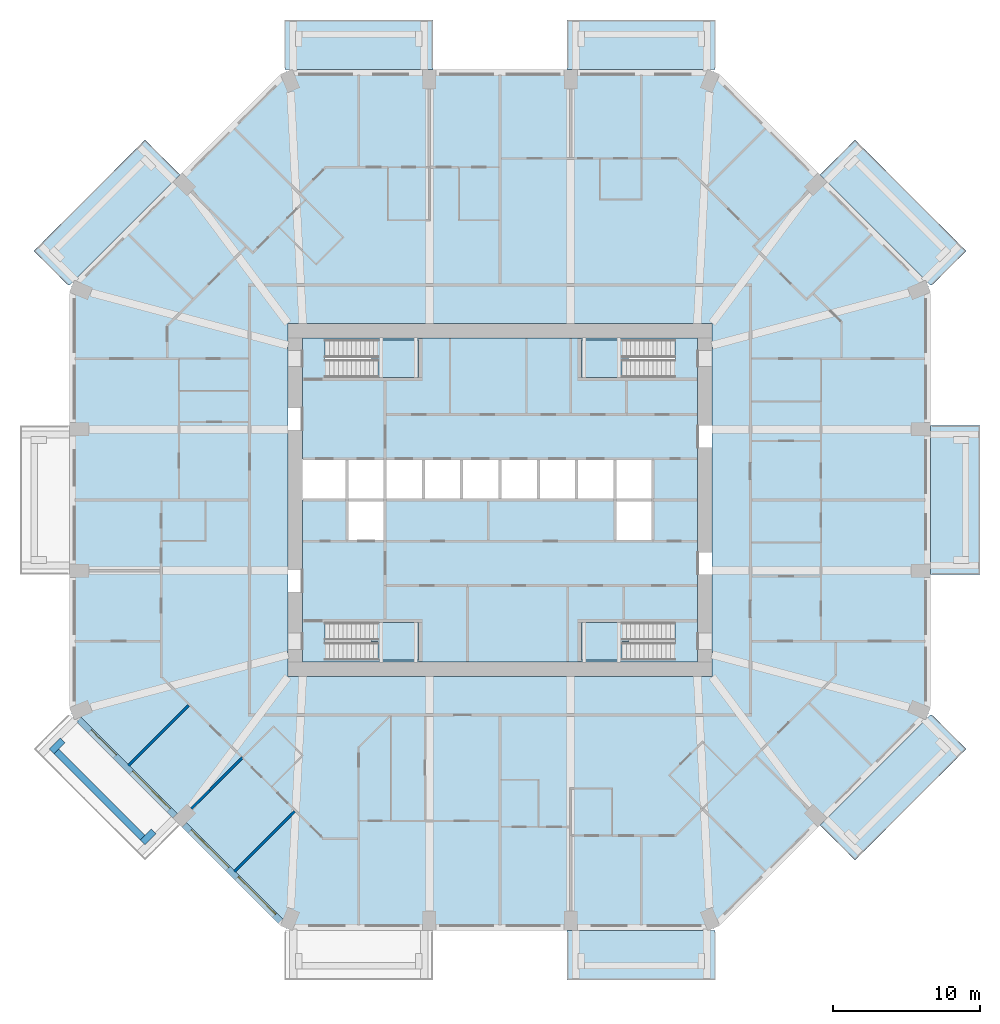
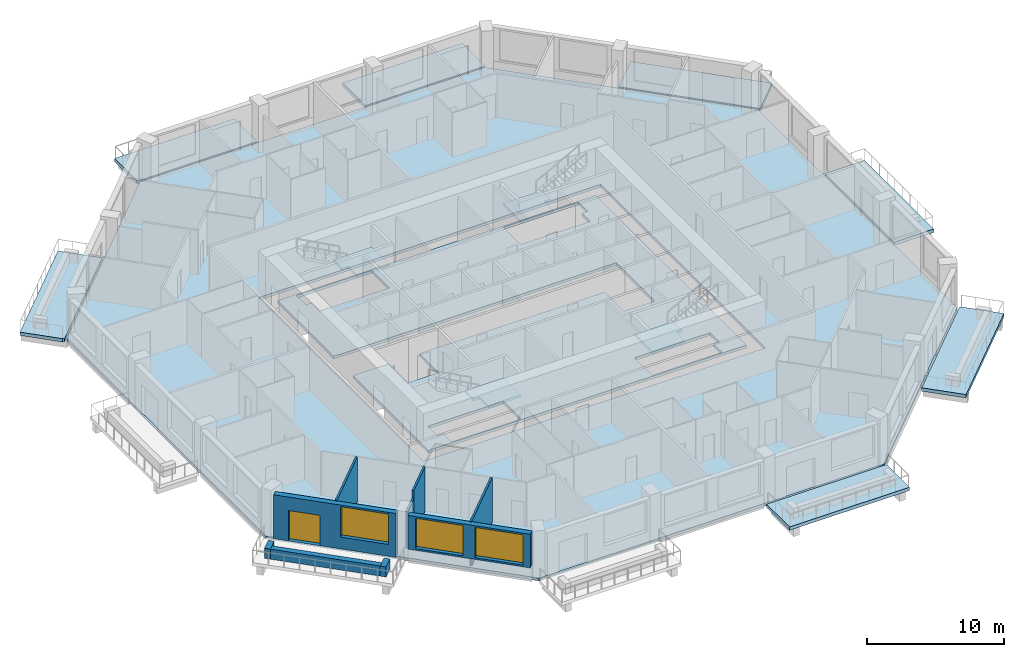
# One storey, part 2 of 13: 13 slabs, 9 walls, 3 windows, 1 door, 4 openings, 4 elements without a shape of their own.
"""IFC4 building model written with IfcOpenShell, lengths in metres."""

from ifc_helpers import new_model, si_unit, direction, frame, frame_2d, origin, place, context, subcontext, project, spatial, polyline, rectangle, outline, extrude, material, layer, layer_set, type_object, element, fill, aggregate, save


model = new_model("IFC4")

# Units and contexts
model_context = context("Model", 3, precision=1e-05, world=origin(), true_north=direction((0.0, 1.0)))
body_context = subcontext(model_context, "Body", "Model", "MODEL_VIEW")
ifc_project = project(units=[si_unit("LENGTHUNIT", "METRE"), si_unit("AREAUNIT", "SQUARE_METRE"), si_unit("VOLUMEUNIT", "CUBIC_METRE"), si_unit("PLANEANGLEUNIT", "RADIAN"), si_unit("MASSUNIT", "GRAM", prefix="KILO")], contexts=[model_context])

# Site, building, storey
site_placement = place(None, origin())
site = spatial("IfcSite", under=ifc_project, at=site_placement, CompositionType="ELEMENT")
building_placement = place(site_placement, origin())
building = spatial("IfcBuilding", under=site, at=building_placement, Name="Msitu Wima Residences", CompositionType="ELEMENT")
storey_placement = place(building_placement, frame((0.0, 0.0, 38.10009765625)))
storey = spatial("IfcBuildingStorey", under=building, at=storey_placement, Name="L08", CompositionType="ELEMENT", Elevation=38.10009765625)

# Slabs
ifc_material_1 = material(Name="Concrete C40/50", Category="concrete")
ifc_layer_1 = layer(ifc_material_1, 0.300048828125)
ifc_layer_set_1 = layer_set([ifc_layer_1], Name="Concrete C40/50")
slab_type_1 = type_object("IfcSlabType", Name="Balcony slab BS300", PredefinedType="FLOOR", material=ifc_layer_set_1)
slab_1_placement = place(storey_placement, frame((0.0, 0.0, -0.300048828125)))
element("IfcSlab", 1, at=slab_1_placement, inside=storey, type_object=slab_type_1, Name="Balcony E1 L08", PredefinedType="FLOOR", context=body_context, shape_type="SweptSolid", body=[
    extrude(outline(polyline([(29.25, -4.35009765625), (29.25, 4.35009765625), (29.25, 5.050048828125), (32.60009765625, 5.050048828125), (32.60009765625, -5.050048828125), (29.25, -5.050048828125), (29.25, -4.35009765625)])), origin(), (0.0, 0.0, 1.0), 0.300048828125),
])
slab_2_placement = place(storey_placement, frame((0.0, 0.0, -0.300048828125)))
element("IfcSlab", 2, at=slab_2_placement, inside=storey, type_object=slab_type_1, Name="Balcony NE0 L08", PredefinedType="FLOOR", context=body_context, shape_type="SweptSolid", body=[
    extrude(outline(polyline([(24.1103515625, 24.4638671875), (31.663818359375, 16.91015625), (29.403564453125, 14.64990234375), (29.25, 14.58642578125), (21.741455078125, 22.094970703125), (24.1103515625, 24.4638671875)])), origin(), (0.0, 0.0, 1.0), 0.300048828125),
])
slab_3_placement = place(storey_placement, frame((0.0, 0.0, -0.300048828125)))
element("IfcSlab", 3, at=slab_3_placement, inside=storey, type_object=slab_type_1, Name="Balcony N0 L08", PredefinedType="FLOOR", context=body_context, shape_type="SweptSolid", body=[
    extrude(outline(polyline([(14.099365234375, 29.25), (14.099365234375, 29.25), (5.25, 29.25), (4.550048828125, 29.25), (4.550048828125, 32.60009765625), (14.64990234375, 32.60009765625), (14.64990234375, 29.403564453125), (14.58642578125, 29.25), (14.099365234375, 29.25), (14.099365234375, 29.25)])), origin(), (0.0, 0.0, 1.0), 0.300048828125),
])
slab_4_placement = place(storey_placement, frame((0.0, 0.0, -0.300048828125)))
element("IfcSlab", 4, at=slab_4_placement, inside=storey, type_object=slab_type_1, Name="Balcony N2 L08", PredefinedType="FLOOR", context=body_context, shape_type="SweptSolid", body=[
    extrude(outline(polyline([(-14.099365234375, 29.25), (-14.099365234375, 29.25), (-14.099365234375, 29.25), (-14.58642578125, 29.25), (-14.64990234375, 29.403564453125), (-14.64990234375, 32.60009765625), (-4.550048828125, 32.60009765625), (-4.550048828125, 29.25), (-5.25, 29.25), (-14.099365234375, 29.25)])), origin(), (0.0, 0.0, 1.0), 0.300048828125),
])
slab_5_placement = place(storey_placement, frame((0.0, 0.0, -0.300048828125)))
element("IfcSlab", 5, at=slab_5_placement, inside=storey, type_object=slab_type_1, Name="Balcony NW1 L08", PredefinedType="FLOOR", context=body_context, shape_type="SweptSolid", body=[
    extrude(outline(polyline([(-31.663818359375, 16.91015625), (-24.1103515625, 24.4638671875), (-21.741455078125, 22.094970703125), (-29.25, 14.58642578125), (-29.403564453125, 14.64990234375), (-31.663818359375, 16.91015625)])), origin(), (0.0, 0.0, 1.0), 0.300048828125),
])
slab_6_placement = place(storey_placement, frame((0.0, 0.0, -0.300048828125)))
element("IfcSlab", 6, at=slab_6_placement, inside=storey, type_object=slab_type_1, Name="Balcony S2 L08", PredefinedType="FLOOR", context=body_context, shape_type="SweptSolid", body=[
    extrude(outline(polyline([(14.099365234375, -29.25), (14.099365234375, -29.25), (14.099365234375, -29.25), (14.58642578125, -29.25), (14.64990234375, -29.403564453125), (14.64990234375, -32.60009765625), (4.550048828125, -32.60009765625), (4.550048828125, -29.25), (5.25, -29.25), (14.099365234375, -29.25)])), origin(), (0.0, 0.0, 1.0), 0.300048828125),
])
slab_7_placement = place(storey_placement, frame((0.0, 0.0, -0.300048828125)))
element("IfcSlab", 7, at=slab_7_placement, inside=storey, type_object=slab_type_1, Name="Balcony SE1 L08", PredefinedType="FLOOR", context=body_context, shape_type="SweptSolid", body=[
    extrude(outline(polyline([(31.663818359375, -16.91015625), (24.1103515625, -24.4638671875), (21.741455078125, -22.094970703125), (29.25, -14.58642578125), (29.403564453125, -14.64990234375), (31.663818359375, -16.91015625)])), origin(), (0.0, 0.0, 1.0), 0.300048828125),
])
ifc_layer_2 = layer(ifc_material_1, 0.25)
ifc_layer_set_2 = layer_set([ifc_layer_2], Name="Concrete C40/50")
slab_type_2 = type_object("IfcSlabType", Name="Core floor CF250", PredefinedType="FLOOR", material=ifc_layer_set_2)
slab_8_placement = place(storey_placement, frame((0.0, 0.0, -0.25)))
element("IfcSlab", 8, at=slab_8_placement, inside=storey, type_object=slab_type_2, Name="Core floor", PredefinedType="FLOOR", context=body_context, shape_type="SweptSolid", body=[
    extrude(outline(polyline([(-13.39990234375, 11.0), (-13.39990234375, 2.800048828125), (-10.39990234375, 2.800048828125), (-7.800048828125, 2.800048828125), (-5.199951171875, 2.800048828125), (-2.60009765625, 2.800048828125), (0.0, 2.800048828125), (2.60009765625, 2.800048828125), (5.199951171875, 2.800048828125), (7.800048828125, 2.800048828125), (10.39990234375, 2.800048828125), (10.39990234375, 0.0), (10.39990234375, -2.800048828125), (7.800048828125, -2.800048828125), (7.800048828125, 0.0), (5.199951171875, 0.0), (2.60009765625, 0.0), (0.0, 0.0), (-2.60009765625, 0.0), (-5.199951171875, 0.0), (-7.800048828125, 0.0), (-7.800048828125, -2.800048828125), (-10.39990234375, -2.800048828125), (-10.39990234375, 0.0), (-13.39990234375, 0.0), (-13.39990234375, -11.0), (13.39990234375, -11.0), (13.39990234375, 11.0), (-13.39990234375, 11.0)]), holes=[polyline([(-11.375, -10.875), (-11.375, -9.675048828125), (-11.87451171875, -9.675048828125), (-11.87451171875, -8.324951171875), (-5.52490234375, -8.324951171875), (-5.52490234375, -10.875), (-11.375, -10.875)]), polyline([(-11.375, 9.52490234375), (-11.87451171875, 9.52490234375), (-11.87451171875, 10.875), (-5.52490234375, 10.875), (-5.52490234375, 8.324951171875), (-11.375, 8.324951171875), (-11.375, 9.52490234375)]), polyline([(11.375, -9.675048828125), (11.375, -10.875), (5.52490234375, -10.875), (5.52490234375, -8.324951171875), (11.87451171875, -8.324951171875), (11.87451171875, -9.675048828125), (11.375, -9.675048828125)]), polyline([(11.375, 9.52490234375), (11.375, 8.324951171875), (5.52490234375, 8.324951171875), (5.52490234375, 10.875), (11.87451171875, 10.875), (11.87451171875, 9.52490234375), (11.375, 9.52490234375)])]), origin(), (0.0, 0.0, 1.0), 0.25),
])
ifc_layer_3 = layer(ifc_material_1, 0.25)
ifc_layer_set_3 = layer_set([ifc_layer_3], Name="Concrete C40/50")
slab_type_3 = type_object("IfcSlabType", Name="PT flat slab 250 Concrete C40/50", PredefinedType="FLOOR", material=ifc_layer_set_3)
slab_9_placement = place(storey_placement, frame((0.0, 0.0, -0.25)))
element("IfcSlab", 9, at=slab_9_placement, inside=storey, type_object=slab_type_3, Name="Floor slab L08", PredefinedType="FLOOR", context=body_context, shape_type="SweptSolid", body=[
    extrude(outline(polyline([(29.10009765625, -14.524169921875), (14.524169921875, -29.10009765625), (-14.524169921875, -29.10009765625), (-29.10009765625, -14.524169921875), (-29.10009765625, 14.524169921875), (-14.524169921875, 29.10009765625), (14.524169921875, 29.10009765625), (29.10009765625, 14.524169921875), (29.10009765625, -14.524169921875)]), holes=[polyline([(-14.39990234375, -12.0), (14.39990234375, -12.0), (14.39990234375, 12.0), (-14.39990234375, 12.0), (-14.39990234375, -12.0)])]), origin(), (0.0, 0.0, 1.0), 0.25),
])

# Stair, slab
stair_type = type_object("IfcStairType", Name="Exit stair ES1615-120", PredefinedType="HALF_TURN_STAIR", material=ifc_material_1)
stair_1_placement = place(storey_placement, origin())
stair_1 = element("IfcStair", 10, at=stair_1_placement, inside=storey, type_object=stair_type, Name="Exit stair 1", PredefinedType="HALF_TURN_STAIR")
ifc_layer_4 = layer(ifc_material_1, 0.199951171875)
ifc_layer_set_4 = layer_set([ifc_layer_4], Name="Concrete C40/50")
slab_type_4 = type_object("IfcSlabType", Name="Stair landing SL200", PredefinedType="LANDING", material=ifc_layer_set_4)
slab_10_placement = place(storey_placement, frame((0.0, 0.0, 1.89990234375)))
slab_10 = element("IfcSlab", 11, at=slab_10_placement, type_object=slab_type_4, Name="S1 landing 1", PredefinedType="LANDING", context=body_context, shape_type="SweptSolid", body=[
    extrude(outline(polyline([(-5.52490234375, 8.324951171875), (-8.275390625, 8.324951171875), (-8.275390625, 9.60009765625), (-8.77490234375, 9.60009765625), (-8.77490234375, 10.875), (-5.52490234375, 10.875), (-5.52490234375, 8.324951171875)])), origin(), (0.0, 0.0, 1.0), 0.199951171875),
])
aggregate(stair_1, [slab_10])

stair_2_placement = place(storey_placement, origin())
stair_2 = element("IfcStair", 12, at=stair_2_placement, inside=storey, type_object=stair_type, Name="Exit stair 2", PredefinedType="HALF_TURN_STAIR")
slab_11_placement = place(storey_placement, frame((0.0, 0.0, 1.89990234375)))
slab_11 = element("IfcSlab", 13, at=slab_11_placement, type_object=slab_type_4, Name="S2 landing 1", PredefinedType="LANDING", context=body_context, shape_type="SweptSolid", body=[
    extrude(outline(polyline([(-5.52490234375, -10.875), (-8.275390625, -10.875), (-8.275390625, -9.60009765625), (-8.77490234375, -9.60009765625), (-8.77490234375, -8.324951171875), (-5.52490234375, -8.324951171875), (-5.52490234375, -10.875)])), origin(), (0.0, 0.0, 1.0), 0.199951171875),
])
aggregate(stair_2, [slab_11])

stair_3_placement = place(storey_placement, origin())
stair_3 = element("IfcStair", 14, at=stair_3_placement, inside=storey, type_object=stair_type, Name="Exit stair 3", PredefinedType="HALF_TURN_STAIR")
slab_12_placement = place(storey_placement, frame((0.0, 0.0, 1.89990234375)))
slab_12 = element("IfcSlab", 15, at=slab_12_placement, type_object=slab_type_4, Name="S3 landing 1", PredefinedType="LANDING", context=body_context, shape_type="SweptSolid", body=[
    extrude(outline(polyline([(5.52490234375, 8.324951171875), (8.275390625, 8.324951171875), (8.275390625, 9.60009765625), (8.77490234375, 9.60009765625), (8.77490234375, 10.875), (5.52490234375, 10.875), (5.52490234375, 8.324951171875)])), origin(), (0.0, 0.0, 1.0), 0.199951171875),
])
aggregate(stair_3, [slab_12])

stair_4_placement = place(storey_placement, origin())
stair_4 = element("IfcStair", 16, at=stair_4_placement, inside=storey, type_object=stair_type, Name="Exit stair 4", PredefinedType="HALF_TURN_STAIR")
slab_13_placement = place(storey_placement, frame((0.0, 0.0, 1.89990234375)))
slab_13 = element("IfcSlab", 17, at=slab_13_placement, type_object=slab_type_4, Name="S4 landing 1", PredefinedType="LANDING", context=body_context, shape_type="SweptSolid", body=[
    extrude(outline(polyline([(5.52490234375, -10.875), (8.275390625, -10.875), (8.275390625, -9.60009765625), (8.77490234375, -9.60009765625), (8.77490234375, -8.324951171875), (5.52490234375, -8.324951171875), (5.52490234375, -10.875)])), origin(), (0.0, 0.0, 1.0), 0.199951171875),
])
aggregate(stair_4, [slab_13])

# Walls
ifc_material_2 = material(Name="Facing brick")
ifc_layer_5 = layer(ifc_material_2, 0.06494140625, Name="Facing brick")
ifc_layer_6 = layer(ifc_material_1, 0.156005859375, Name="Concrete C40/50")
ifc_material_3 = material(Name="Waterproofing membrane")
ifc_layer_7 = layer(ifc_material_3, 0.00390625, Name="Waterproofing membrane")
ifc_material_4 = material(Name="Planting soil and planting")
ifc_layer_8 = layer(ifc_material_4, 0.22509765625, Name="Planting soil and planting")
ifc_layer_set_5 = layer_set([ifc_layer_5, ifc_layer_6, ifc_layer_7, ifc_layer_8], Name="Concrete C40/50")
wall_type_1 = type_object("IfcWallType", Name="Balcony planter PLANTER PL450", PredefinedType="USERDEFINED", material=ifc_layer_set_5)
wall_1_placement = place(storey_placement, frame((-30.125732421875, -17.0693359375, 0.0), z_axis=(0.0, 0.0, 1.0), x_axis=(0.707106781187, -0.707106781187, 0.0)))
element("IfcWall", 18, at=wall_1_placement, inside=storey, type_object=wall_type_1, Name="Balcony planter SW0 L08", ObjectType="PLANTER", PredefinedType="USERDEFINED", context=body_context, shape_type="SweptSolid", body=[
    extrude(rectangle(XDim=8.2822265625, YDim=0.449951171875, at=frame_2d((4.14111328125, 0.0))), origin(), (0.0, 0.0, 1.0), 0.89990234375),
])
for number, where, z_axis, x_axis, name in (
    (19, (-29.70166015625, -16.326904296875, 0.0), (0.0, 0.0, 1.0), (-0.707106781187, -0.707106781187, 0.0), "Balcony planter SW0 L08"),
    (20, (-23.52685546875, -22.50146484375, 0.0), (0.0, 0.0, 1.0), (-0.706990528533, -0.707223014731, 0.0), "Balcony planter SW0 L08"),
):
    element("IfcWall", number, at=place(storey_placement, frame(where, z_axis=z_axis, x_axis=x_axis)), inside=storey, type_object=wall_type_1, Name=name, ObjectType="PLANTER", PredefinedType="USERDEFINED", context=body_context, shape_type="SweptSolid", body=[
        extrude(rectangle(XDim=1.050048828125, YDim=0.449951171875, at=frame_2d((0.52490234375, 0.0))), origin(), (0.0, 0.0, 1.0), 0.89990234375),
    ])

# Wall, openings, door, window
ifc_material_5 = material(Name="Brick (red buff mix)", Category="masonry")
ifc_layer_9 = layer(ifc_material_5, 0.449951171875)
ifc_layer_set_6 = layer_set([ifc_layer_9], Name="Brick (red buff mix)")
wall_type_2 = type_object("IfcWallType", Name="Brick infill wall BW450", PredefinedType="SOLIDWALL", material=ifc_layer_set_6)
wall_2_placement = place(storey_placement, frame((-28.61474609375, -14.903564453125, 0.0), z_axis=(0.0, 0.0, 1.0), x_axis=(0.707106781187, -0.707106781187, 0.0)))
wall_2 = element("IfcWall", 21, at=wall_2_placement, inside=storey, type_object=wall_type_2, Name="Brick infill wall L08 SW0", PredefinedType="SOLIDWALL", context=body_context, shape_type="SweptSolid", body=[
    extrude(rectangle(XDim=9.2451171875, YDim=0.449951171875, at=frame_2d((4.62255859375, 0.0))), origin(), (0.0, 0.0, 1.0), 3.89990234375),
])
opening_1_placement = place(wall_2_placement, frame((1.111328125, 0.0, 0.0)))
opening_1 = element("IfcOpeningElement", 22, at=opening_1_placement, cuts=wall_2, Name="Opening D08-10.009", PredefinedType="OPENING", context=body_context, shape_type="SweptSolid", body=[
    extrude(rectangle(XDim=2.39990234375, YDim=2.699951171875, at=frame_2d((1.199951171875, 1.35009765625))), frame((0.0, 0.23486328125, 0.0), z_axis=(0.0, -1.0, 0.0), x_axis=(1.0, 0.0, 0.0)), (0.0, 0.0, 1.0), 0.469970703125),
])
opening_2_placement = place(wall_2_placement, frame((5.072509765625, 0.0, 1.050048828125)))
opening_2 = element("IfcOpeningElement", 23, at=opening_2_placement, cuts=wall_2, Name="Opening W08-10.023", PredefinedType="OPENING", context=body_context, shape_type="SweptSolid", body=[
    extrude(rectangle(XDim=3.60009765625, YDim=2.699951171875, at=frame_2d((1.800048828125, 1.35009765625))), frame((0.0, 0.23486328125, 0.0), z_axis=(0.0, -1.0, 0.0), x_axis=(1.0, 0.0, 0.0)), (0.0, 0.0, 1.0), 0.469970703125),
])
ifc_material_6 = material(Name="Anodised aluminium, bronze finish, clear low-emissivity double glazing", Category="aluminium")
door_type = type_object("IfcDoorType", Name="Balcony door D2400x2700", OperationType="SLIDING_TO_LEFT", PredefinedType="DOOR", material=ifc_material_6)
door_placement = place(opening_1_placement, origin())
door = element("IfcDoor", 24, at=door_placement, inside=storey, type_object=door_type, Name="Balcony door L08 SW0", OperationType="SINGLE_SWING_LEFT", OverallHeight=2.699951171875, OverallWidth=2.39990234375, PredefinedType="DOOR", context=body_context, shape_type="SweptSolid", body=[
    extrude(rectangle(XDim=2.39990234375, YDim=2.699951171875, at=frame_2d((1.199951171875, 1.35009765625))), frame((0.0, 0.1298828125, 0.0), z_axis=(0.0, -1.0, 0.0), x_axis=(1.0, 0.0, 0.0)), (0.0, 0.0, 1.0), 0.050048828125),
])
fill(opening_1, door)
window_type = type_object("IfcWindowType", Name="Window W3600x2700", PartitioningType="DOUBLE_PANEL_VERTICAL", PredefinedType="WINDOW", material=ifc_material_6)
window_1_placement = place(opening_2_placement, origin())
window_1 = element("IfcWindow", 25, at=window_1_placement, inside=storey, type_object=window_type, Name="Window L08 SW0.2", OverallHeight=2.699951171875, OverallWidth=3.60009765625, PartitioningType="SINGLE_PANEL", PredefinedType="WINDOW", context=body_context, shape_type="SweptSolid", body=[
    extrude(rectangle(XDim=3.60009765625, YDim=2.699951171875, at=frame_2d((1.800048828125, 1.35009765625))), frame((0.0, 0.135009765625, 0.0), z_axis=(0.0, -1.0, 0.0), x_axis=(1.0, 0.0, 0.0)), (0.0, 0.0, 1.0), 0.06005859375),
])
fill(opening_2, window_1)

# Wall, openings, windows
wall_3_placement = place(storey_placement, frame((-21.44091796875, -22.077392578125, 0.89990234375), z_axis=(0.0, 0.0, 1.0), x_axis=(0.707106781187, -0.707106781187, 0.0)))
wall_3 = element("IfcWall", 26, at=wall_3_placement, inside=storey, type_object=wall_type_2, Name="Brick infill wall L08 SW1", PredefinedType="SOLIDWALL", context=body_context, shape_type="SweptSolid", body=[
    extrude(rectangle(XDim=9.2451171875, YDim=0.449951171875, at=frame_2d((4.62255859375, 0.0))), origin(), (0.0, 0.0, 1.0), 3.0),
])
opening_3_placement = place(wall_3_placement, frame((0.572509765625, 0.0, 0.14990234375)))
opening_3 = element("IfcOpeningElement", 27, at=opening_3_placement, cuts=wall_3, Name="Opening W08-10.024", PredefinedType="OPENING", context=body_context, shape_type="SweptSolid", body=[
    extrude(rectangle(XDim=3.60009765625, YDim=2.699951171875, at=frame_2d((1.800048828125, 1.35009765625))), frame((0.0, 0.23486328125, 0.0), z_axis=(0.0, -1.0, 0.0), x_axis=(1.0, 0.0, 0.0)), (0.0, 0.0, 1.0), 0.469970703125),
])
opening_4_placement = place(wall_3_placement, frame((5.072509765625, 0.0, 0.14990234375)))
opening_4 = element("IfcOpeningElement", 28, at=opening_4_placement, cuts=wall_3, Name="Opening W08-10.025", PredefinedType="OPENING", context=body_context, shape_type="SweptSolid", body=[
    extrude(rectangle(XDim=3.60009765625, YDim=2.699951171875, at=frame_2d((1.800048828125, 1.35009765625))), frame((0.0, 0.23486328125, 0.0), z_axis=(0.0, -1.0, 0.0), x_axis=(1.0, 0.0, 0.0)), (0.0, 0.0, 1.0), 0.469970703125),
])
window_2_placement = place(opening_3_placement, origin())
window_2 = element("IfcWindow", 29, at=window_2_placement, inside=storey, type_object=window_type, Name="Window L08 SW1.1", OverallHeight=2.699951171875, OverallWidth=3.60009765625, PartitioningType="SINGLE_PANEL", PredefinedType="WINDOW", context=body_context, shape_type="SweptSolid", body=[
    extrude(rectangle(XDim=3.60009765625, YDim=2.699951171875, at=frame_2d((1.800048828125, 1.35009765625))), frame((0.0, 0.135009765625, 0.0), z_axis=(0.0, -1.0, 0.0), x_axis=(1.0, 0.0, 0.0)), (0.0, 0.0, 1.0), 0.06005859375),
])
fill(opening_3, window_2)
window_3_placement = place(opening_4_placement, origin())
window_3 = element("IfcWindow", 30, at=window_3_placement, inside=storey, type_object=window_type, Name="Window L08 SW1.2", OverallHeight=2.699951171875, OverallWidth=3.60009765625, PartitioningType="SINGLE_PANEL", PredefinedType="WINDOW", context=body_context, shape_type="SweptSolid", body=[
    extrude(rectangle(XDim=3.60009765625, YDim=2.699951171875, at=frame_2d((1.800048828125, 1.35009765625))), frame((0.0, 0.135009765625, 0.0), z_axis=(0.0, -1.0, 0.0), x_axis=(1.0, 0.0, 0.0)), (0.0, 0.0, 1.0), 0.06005859375),
])
fill(opening_4, window_3)

# Walls
ifc_material_7 = material(Name="Plaster")
ifc_layer_10 = layer(ifc_material_7, 0.011962890625, Name="Plaster")
ifc_material_8 = material(Name="Concrete blockwork", Category="masonry")
ifc_layer_11 = layer(ifc_material_8, 0.1259765625, Name="Concrete blockwork")
ifc_layer_12 = layer(ifc_material_7, 0.011962890625, Name="Plaster")
ifc_layer_set_7 = layer_set([ifc_layer_10, ifc_layer_11, ifc_layer_12], Name="Concrete blockwork")
wall_type_3 = type_object("IfcWallType", Name="Partition PW150", PredefinedType="PARTITIONING", material=ifc_layer_set_7)
wall_4_placement = place(storey_placement, frame((-25.23876953125, -18.038818359375, 0.0), z_axis=(0.0, 0.0, 1.0), x_axis=(0.707106781187, 0.707106781187, 0.0)))
element("IfcWall", 31, at=wall_4_placement, inside=storey, type_object=wall_type_3, Name="Partition", PredefinedType="PARTITIONING", context=body_context, shape_type="SweptSolid", body=[
    extrude(rectangle(XDim=5.77978515625, YDim=0.14990234375, at=frame_2d((2.889892578125, 0.0))), origin(), (0.0, 0.0, 1.0), 3.949951171875),
])
wall_5_placement = place(storey_placement, frame((-20.963623046875, -20.963623046875, 0.0), z_axis=(0.0, 0.0, 1.0), x_axis=(0.707106781187, 0.707106781187, 0.0)))
element("IfcWall", 32, at=wall_5_placement, inside=storey, type_object=wall_type_3, Name="Partition", PredefinedType="PARTITIONING", context=body_context, shape_type="SweptSolid", body=[
    extrude(rectangle(XDim=1.74853515625, YDim=0.14990234375, at=frame_2d((0.874267578125, 0.0))), origin(), (0.0, 0.0, 1.0), 3.25),
])
wall_6_placement = place(storey_placement, frame((-19.727294921875, -19.727294921875, 0.0), z_axis=(0.0, 0.0, 1.0), x_axis=(0.707106781187, 0.707106781187, 0.0)))
element("IfcWall", 33, at=wall_6_placement, inside=storey, type_object=wall_type_3, Name="Partition", PredefinedType="PARTITIONING", context=body_context, shape_type="SweptSolid", body=[
    extrude(rectangle(XDim=3.171630859375, YDim=0.14990234375, at=frame_2d((1.5859375, 0.0))), origin(), (0.0, 0.0, 1.0), 3.949951171875),
])
wall_7_placement = place(storey_placement, frame((-18.038818359375, -25.23876953125, 0.0), z_axis=(0.0, 0.0, 1.0), x_axis=(0.707106781187, 0.707106781187, 0.0)))
element("IfcWall", 34, at=wall_7_placement, inside=storey, type_object=wall_type_3, Name="Partition", PredefinedType="PARTITIONING", context=body_context, shape_type="SweptSolid", body=[
    extrude(rectangle(XDim=5.77978515625, YDim=0.14990234375, at=frame_2d((2.889892578125, 0.0))), origin(), (0.0, 0.0, 1.0), 3.949951171875),
])

save(model, "model.ifc")
